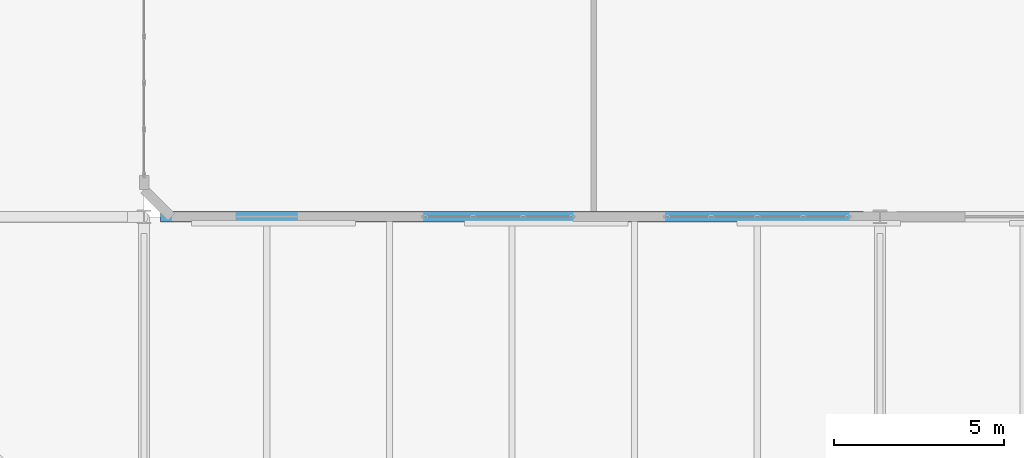
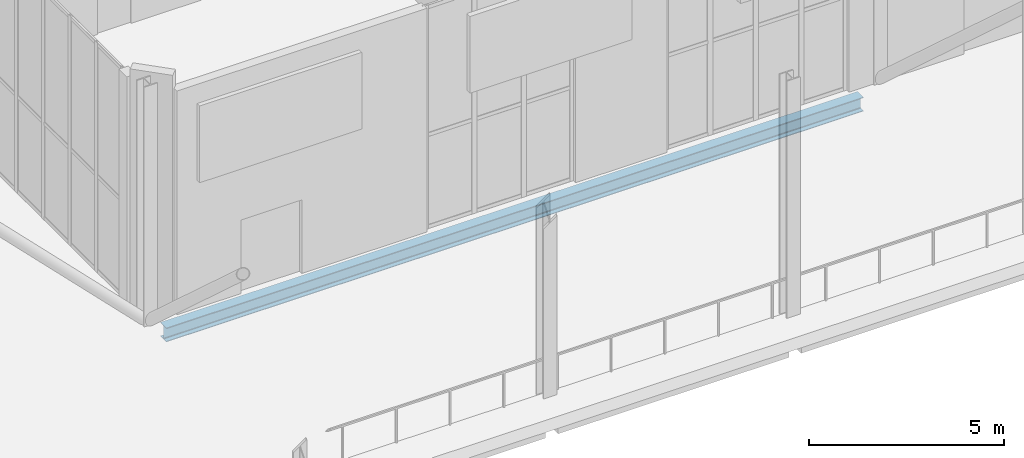
# One storey, part 10 of 23: 1 beam.
"""IFC4 building model written with IfcOpenShell, lengths in metres."""

from ifc_helpers import new_model, si_unit, direction, frame, origin, origin_2d, place, context, subcontext, project, spatial, i_section, extrude, material, material_profile, profile_set, type_object, element, save


model = new_model("IFC4")

# Units and contexts
model_context = context("Model", 3, precision=1e-05, world=origin(), true_north=direction((0.0, 1.0)))
body_context = subcontext(model_context, "Body", "Model", "MODEL_VIEW")
ifc_project = project(units=[si_unit("LENGTHUNIT", "METRE"), si_unit("AREAUNIT", "SQUARE_METRE"), si_unit("VOLUMEUNIT", "CUBIC_METRE"), si_unit("PLANEANGLEUNIT", "RADIAN"), si_unit("MASSUNIT", "GRAM", prefix="KILO")], contexts=[model_context])

# Site, building, storey
site_placement = place(None, origin())
site = spatial("IfcSite", under=ifc_project, at=site_placement, CompositionType="ELEMENT")
building_placement = place(site_placement, origin())
building = spatial("IfcBuilding", under=site, at=building_placement, Name="Kaelvorn Grand Hotel", CompositionType="ELEMENT")
storey_placement = place(building_placement, frame((0.0, 0.0, 310.699951171875)))
storey = spatial("IfcBuildingStorey", under=building, at=storey_placement, Name="L75", CompositionType="ELEMENT", Elevation=310.699951171875)

# Beam
ifc_material = material(Name="Steel S355", Category="steel")
ifc_material_profile = material_profile(ifc_material, i_section(OverallWidth=0.300048828125, OverallDepth=0.43994140625, WebThickness=0.011474609375, FlangeThickness=0.02099609375, FilletRadius=0.027099609375, at=origin_2d()), Name="HEA 450")
ifc_profile_set = profile_set([ifc_material_profile], Name="Steel S355")
beam_type = type_object("IfcBeamType", Name="BM-G-HEA450-S355", PredefinedType="BEAM", material=ifc_profile_set)
beam_placement = place(storey_placement, frame((16.68505859375, 15.0, -0.52001953125), z_axis=(1.0, 0.0, 0.0), x_axis=(0.0, 1.0, 0.0)))
element("IfcBeam", 1, at=beam_placement, inside=storey, type_object=beam_type, Name="L75 Primary Spine Steel Girder G-15 02", PredefinedType="BEAM", context=body_context, shape_type="SweptSolid", body=[
    extrude(i_section(OverallWidth=0.300048828125, OverallDepth=0.43994140625, WebThickness=0.011474609375, FlangeThickness=0.02099609375, FilletRadius=0.027099609375, at=origin_2d()), origin(), (0.0, 0.0, 1.0), 20.6298828125),
])

save(model, "model.ifc")
